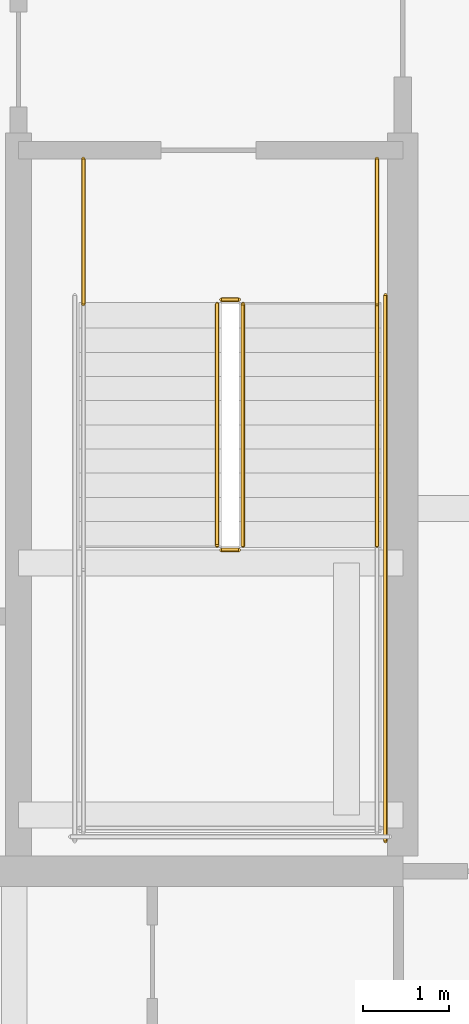
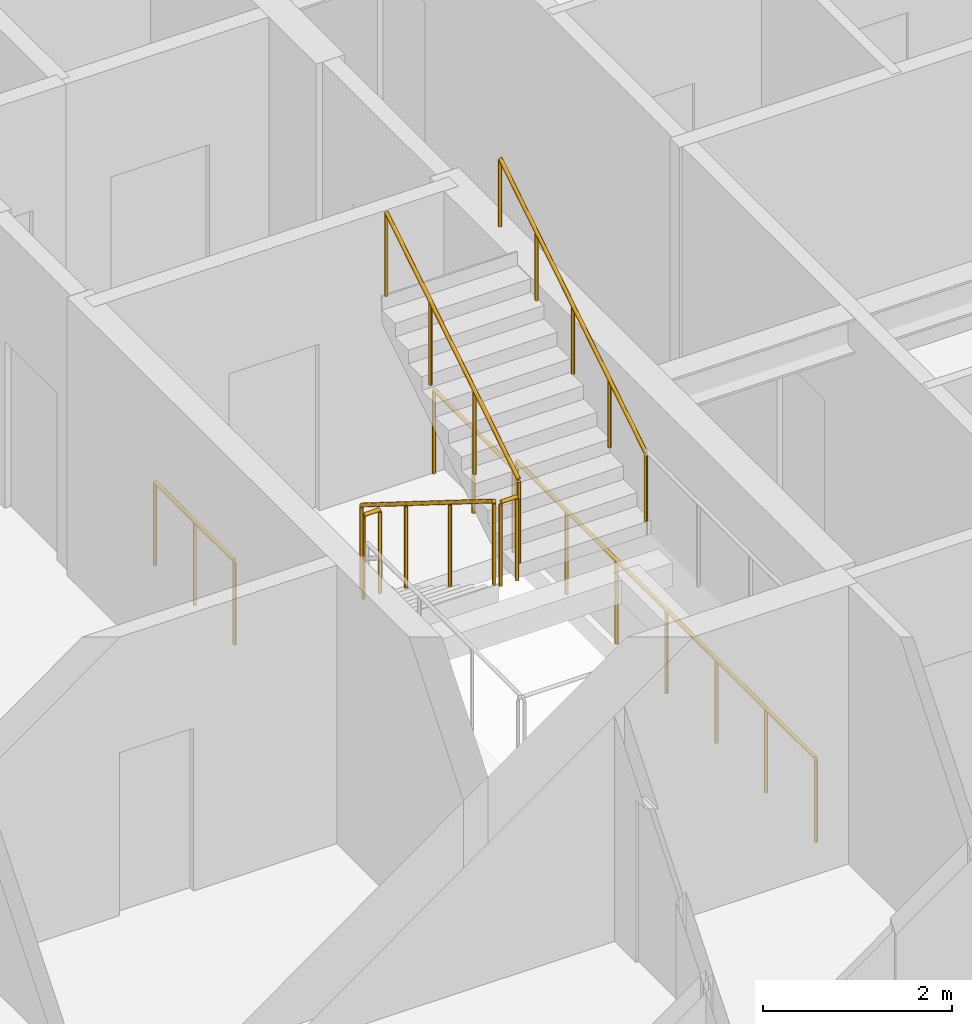
# One storey, part 37 of 38: 8 railings.
"""IFC4 building model written with IfcOpenShell, lengths in metres."""

from ifc_helpers import new_model, si_unit, direction, frame, origin, origin_2d, place, context, subcontext, project, spatial, circle, extrude, material, type_object, element, save


model = new_model("IFC4")

# Units and contexts
model_context = context("Model", 3, precision=1e-05, world=origin(), true_north=direction((0.0, 1.0)))
body_context = subcontext(model_context, "Body", "Model", "MODEL_VIEW")
ifc_project = project(units=[si_unit("LENGTHUNIT", "METRE"), si_unit("AREAUNIT", "SQUARE_METRE"), si_unit("VOLUMEUNIT", "CUBIC_METRE"), si_unit("PLANEANGLEUNIT", "RADIAN"), si_unit("MASSUNIT", "GRAM", prefix="KILO")], contexts=[model_context])

# Site, building, storey
site_placement = place(None, origin())
site = spatial("IfcSite", under=ifc_project, at=site_placement, CompositionType="ELEMENT")
building_placement = place(site_placement, origin())
building = spatial("IfcBuilding", under=site, at=building_placement, Name="Serunith Strait Residences", CompositionType="ELEMENT")
storey_placement = place(building_placement, frame((0.0, 0.0, 237.39990234375)))
storey = spatial("IfcBuildingStorey", under=building, at=storey_placement, Name="L59", CompositionType="ELEMENT", Elevation=237.39990234375)

# Railings
ifc_material = material(Name="Brushed stainless steel 316L", Category="steel")
railing_type_1 = type_object("IfcRailingType", Name="RLG-STAIR-GUARD", PredefinedType="BALUSTRADE", material=ifc_material)
railing_1_placement = place(storey_placement, frame((39.25, 23.3701171875, 0.175048828125)))
element("IfcRailing", 1, at=railing_1_placement, inside=storey, type_object=railing_type_1, Name="L59 ST-2 stair guard 1", PredefinedType="BALUSTRADE", context=body_context, shape_type="SweptSolid", body=[
    extrude(circle(Radius=0.02392578125, at=origin_2d()), frame((0.0, -0.001708984375, 1.0771484375), z_axis=(0.0, -0.848002457836, 0.529992293815), x_axis=(1.0, 0.0, 0.0)), (0.0, 0.0, 1.0), 3.2978515625),
    extrude(circle(Radius=0.02099609375, at=origin_2d()), origin(), (0.0, 0.0, 1.0), 1.050048828125),
    extrude(circle(Radius=0.02099609375, at=origin_2d()), frame((0.0, -0.933349609375, 0.583251953125)), (0.0, 0.0, 1.0), 1.050048828125),
    extrude(circle(Radius=0.02099609375, at=origin_2d()), frame((0.0, -1.86669921875, 1.166748046875)), (0.0, 0.0, 1.0), 1.050048828125),
    extrude(circle(Radius=0.02099609375, at=origin_2d()), frame((0.0, -2.800048828125, 1.75)), (0.0, 0.0, 1.0), 1.050048828125),
])
railing_2_placement = place(storey_placement, frame((39.300048828125, 20.52001953125, 1.925048828125)))
element("IfcRailing", 2, at=railing_2_placement, inside=storey, type_object=railing_type_1, Name="L59 ST-2 stair guard 2", PredefinedType="BALUSTRADE", context=body_context, shape_type="SweptSolid", body=[
    extrude(circle(Radius=0.02392578125, at=origin_2d()), frame((0.001953125, 0.0, 1.076171875), z_axis=(1.0, 0.0, 0.0), x_axis=(0.0, 1.0, 0.0)), (0.0, 0.0, 1.0), 0.196044921875),
    extrude(circle(Radius=0.02099609375, at=origin_2d()), origin(), (0.0, 0.0, 1.0), 1.050048828125),
    extrude(circle(Radius=0.02099609375, at=origin_2d()), frame((0.199951171875, 0.0, 0.0)), (0.0, 0.0, 1.0), 1.050048828125),
])
railing_3_placement = place(storey_placement, frame((39.550048828125, 20.570068359375, 2.10009765625)))
element("IfcRailing", 3, at=railing_3_placement, inside=storey, type_object=railing_type_1, Name="L59 ST-2 stair guard 6", PredefinedType="BALUSTRADE", context=body_context, shape_type="SweptSolid", body=[
    extrude(circle(Radius=0.02392578125, at=origin_2d()), frame((0.0, 0.001708984375, 1.0771484375), z_axis=(0.0, 0.848002457836, 0.529992293815), x_axis=(-1.0, 0.0, 0.0)), (0.0, 0.0, 1.0), 3.2978515625),
    extrude(circle(Radius=0.02099609375, at=origin_2d()), origin(), (0.0, 0.0, 1.0), 1.050048828125),
    extrude(circle(Radius=0.02099609375, at=origin_2d()), frame((0.0, 0.933349609375, 0.583251953125)), (0.0, 0.0, 1.0), 1.050048828125),
    extrude(circle(Radius=0.02099609375, at=origin_2d()), frame((0.0, 1.86669921875, 1.166748046875)), (0.0, 0.0, 1.0), 1.050048828125),
    extrude(circle(Radius=0.02099609375, at=origin_2d()), frame((0.0, 2.800048828125, 1.75)), (0.0, 0.0, 1.0), 1.050048828125),
])
railing_4_placement = place(storey_placement, frame((39.300048828125, 23.419921875, 0.0)))
element("IfcRailing", 4, at=railing_4_placement, inside=storey, type_object=railing_type_1, Name="L59 ST-2 stair guard 7", PredefinedType="BALUSTRADE", context=body_context, shape_type="SweptSolid", body=[
    extrude(circle(Radius=0.02392578125, at=origin_2d()), frame((0.001953125, 0.0, 1.076171875), z_axis=(1.0, 0.0, 0.0), x_axis=(0.0, 1.0, 0.0)), (0.0, 0.0, 1.0), 0.196044921875),
    extrude(circle(Radius=0.02099609375, at=origin_2d()), origin(), (0.0, 0.0, 1.0), 1.050048828125),
    extrude(circle(Radius=0.02099609375, at=origin_2d()), frame((0.199951171875, 0.0, 0.0)), (0.0, 0.0, 1.0), 1.050048828125),
])
for number, where, name in (
    (5, (37.699951171875, 25.050048828125, 0.0), "L59 ST-2 stair guard 8"),
    (6, (41.10009765625, 25.050048828125, 0.0), "L59 ST-2 stair guard 9"),
):
    element("IfcRailing", number, at=place(storey_placement, frame(where)), inside=storey, type_object=railing_type_1, Name=name, PredefinedType="BALUSTRADE", context=body_context, shape_type="SweptSolid", body=[
        extrude(circle(Radius=0.02392578125, at=origin_2d()), frame((0.0, -0.001953125, 1.076171875), z_axis=(0.0, -1.0, 0.0), x_axis=(1.0, 0.0, 0.0)), (0.0, 0.0, 1.0), 1.676025390625),
        extrude(circle(Radius=0.02099609375, at=origin_2d()), origin(), (0.0, 0.0, 1.0), 1.050048828125),
        extrude(circle(Radius=0.02099609375, at=origin_2d()), frame((0.0, -0.83984375, 0.0)), (0.0, 0.0, 1.0), 1.050048828125),
        extrude(circle(Radius=0.02099609375, at=origin_2d()), frame((0.0, -1.679931640625, 0.0)), (0.0, 0.0, 1.0), 1.050048828125),
    ])
railing_5_placement = place(storey_placement, frame((41.199951171875, 23.469970703125, 0.0)))
element("IfcRailing", 7, at=railing_5_placement, inside=storey, type_object=railing_type_1, Name="L59 ST-2 stair guard 11", PredefinedType="BALUSTRADE", context=body_context, shape_type="SweptSolid", body=[
    extrude(circle(Radius=0.02392578125, at=origin_2d()), frame((0.0, -0.001953125, 1.076171875), z_axis=(0.0, -1.0, 0.0), x_axis=(1.0, 0.0, 0.0)), (0.0, 0.0, 1.0), 6.316162109375),
    extrude(circle(Radius=0.02099609375, at=origin_2d()), origin(), (0.0, 0.0, 1.0), 1.050048828125),
    extrude(circle(Radius=0.02099609375, at=origin_2d()), frame((0.0, -1.05322265625, 0.0)), (0.0, 0.0, 1.0), 1.050048828125),
    extrude(circle(Radius=0.02099609375, at=origin_2d()), frame((0.0, -2.106689453125, 0.0)), (0.0, 0.0, 1.0), 1.050048828125),
    extrude(circle(Radius=0.02099609375, at=origin_2d()), frame((0.0, -3.16015625, 0.0)), (0.0, 0.0, 1.0), 1.050048828125),
    extrude(circle(Radius=0.02099609375, at=origin_2d()), frame((0.0, -4.21337890625, 0.0)), (0.0, 0.0, 1.0), 1.050048828125),
    extrude(circle(Radius=0.02099609375, at=origin_2d()), frame((0.0, -5.2666015625, 0.0)), (0.0, 0.0, 1.0), 1.050048828125),
    extrude(circle(Radius=0.02099609375, at=origin_2d()), frame((0.0, -6.320068359375, 0.0)), (0.0, 0.0, 1.0), 1.050048828125),
])
railing_type_2 = type_object("IfcRailingType", Name="RLG-STAIR-HR", PredefinedType="HANDRAIL", material=ifc_material)
railing_6_placement = place(storey_placement, frame((41.10009765625, 20.570068359375, 2.10009765625)))
element("IfcRailing", 8, at=railing_6_placement, inside=storey, type_object=railing_type_2, Name="L59 ST-2 stair handrail 2", PredefinedType="HANDRAIL", context=body_context, shape_type="SweptSolid", body=[
    extrude(circle(Radius=0.02392578125, at=origin_2d()), frame((0.0, 0.001708984375, 0.876953125), z_axis=(0.0, 0.847375056783, 0.530994833442), x_axis=(-1.0, 0.0, 0.0)), (0.0, 0.0, 1.0), 3.630615234375),
    extrude(circle(Radius=0.02099609375, at=origin_2d()), origin(), (0.0, 0.0, 1.0), 0.849853515625),
    extrude(circle(Radius=0.02099609375, at=origin_2d()), frame((0.0, 0.77001953125, 0.482421875)), (0.0, 0.0, 1.0), 0.849853515625),
    extrude(circle(Radius=0.02099609375, at=origin_2d()), frame((0.0, 1.5400390625, 0.96484375)), (0.0, 0.0, 1.0), 0.849853515625),
    extrude(circle(Radius=0.02099609375, at=origin_2d()), frame((0.0, 2.309814453125, 1.447509765625)), (0.0, 0.0, 1.0), 0.849853515625),
    extrude(circle(Radius=0.02099609375, at=origin_2d()), frame((0.0, 3.079833984375, 1.929931640625)), (0.0, 0.0, 1.0), 0.849853515625),
])

save(model, "model.ifc")
